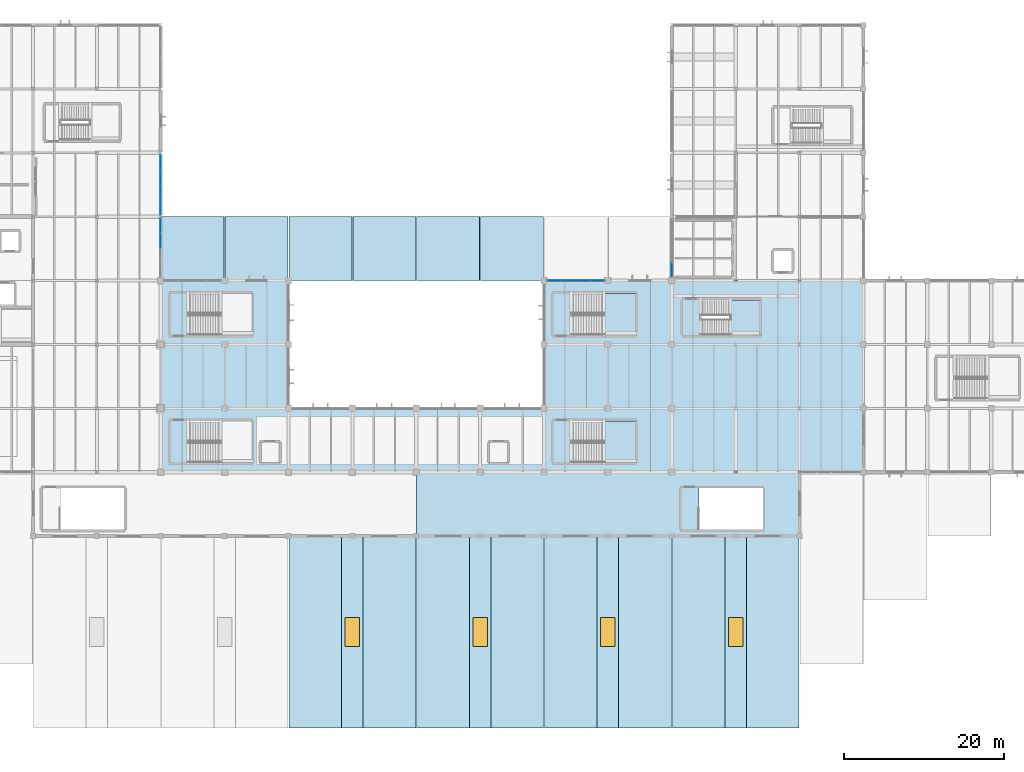
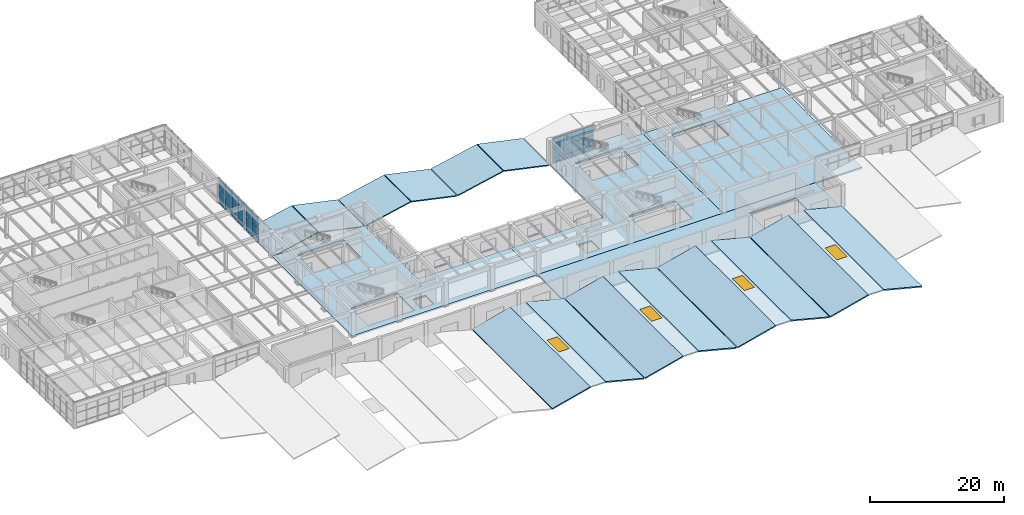
# One storey, part 35 of 60: 31 plates, 25 slabs, 4 windows, 4 openings, 7 elements without a shape of their own.
"""IFC4 building model written with IfcOpenShell, lengths in metres."""

from ifc_helpers import new_model, si_unit, direction, frame, origin, origin_2d, place, context, subcontext, project, spatial, polyline, rectangle, outline, extrude, material, layer, layer_set, type_object, element, fill, aggregate, save


model = new_model("IFC4")

# Units and contexts
model_context = context("Model", 3, precision=1e-05, world=origin(), true_north=direction((0.0, 1.0)))
body_context = subcontext(model_context, "Body", "Model", "MODEL_VIEW")
ifc_project = project(units=[si_unit("LENGTHUNIT", "METRE"), si_unit("AREAUNIT", "SQUARE_METRE"), si_unit("VOLUMEUNIT", "CUBIC_METRE"), si_unit("PLANEANGLEUNIT", "RADIAN"), si_unit("MASSUNIT", "GRAM", prefix="KILO")], contexts=[model_context])

# Site, building, storey
site_placement = place(None, origin())
site = spatial("IfcSite", under=ifc_project, at=site_placement, CompositionType="ELEMENT")
building_placement = place(site_placement, origin())
building = spatial("IfcBuilding", under=site, at=building_placement, Name="Varnela Railside Interchange", CompositionType="ELEMENT")
storey_placement = place(building_placement, frame((0.0, 0.0, 6.300048828125)))
storey = spatial("IfcBuildingStorey", under=building, at=storey_placement, Name="L01", CompositionType="ELEMENT", Elevation=6.300048828125)

# Curtain wall, plates
ifc_material_1 = material(Name="Aluminium 6063-T6", Category="aluminium")
ifc_layer_1 = layer(ifc_material_1, 0.035888671875)
ifc_layer_set_1 = layer_set([ifc_layer_1], Name="Aluminium 6063-T6")
curtain_wall_type_1 = type_object("IfcCurtainWallType", Name="Operations Wing Facade Curtain Wall CW-03", PredefinedType="USERDEFINED", material=ifc_layer_set_1)
curtain_wall_1_placement = place(storey_placement, origin())
curtain_wall_1 = element("IfcCurtainWall", 1, at=curtain_wall_1_placement, inside=storey, type_object=curtain_wall_type_1, Name="Curtain Wall CW-03 (L01) (CW-024)", ObjectType="CURTAIN WALL", PredefinedType="USERDEFINED")
ifc_material_2 = material(Name="Glass laminated double", Category="glass")
ifc_layer_2 = layer(ifc_material_2, 0.0400390625)
ifc_layer_set_2 = layer_set([ifc_layer_2], Name="Glass laminated double")
plate_type_1 = type_object("IfcPlateType", Name="Acoustic Laminated Vision GL-03", PredefinedType="CURTAIN_PANEL", material=ifc_layer_set_2)
plate_1_placement = place(storey_placement, frame((52.0, 76.83984375, 0.059814453125), z_axis=(0.0, 0.0, 1.0), x_axis=(0.0, -1.0, 0.0)))
plate_1 = element("IfcPlate", 2, at=plate_1_placement, type_object=plate_type_1, Name="CW-03 panel 1.1", PredefinedType="CURTAIN_PANEL", context=body_context, shape_type="SweptSolid", body=[
    extrude(rectangle(XDim=1.813232421875, YDim=0.0400390625, at=origin_2d()), origin(), (0.0, 0.0, 1.0), 0.81005859375),
])
plate_2_placement = place(storey_placement, frame((52.0, 76.83984375, 0.929931640625), z_axis=(0.0, 0.0, 1.0), x_axis=(0.0, -1.0, 0.0)))
plate_2 = element("IfcPlate", 3, at=plate_2_placement, type_object=plate_type_1, Name="CW-03 panel 1.2", PredefinedType="CURTAIN_PANEL", context=body_context, shape_type="SweptSolid", body=[
    extrude(rectangle(XDim=1.813232421875, YDim=0.0400390625, at=origin_2d()), origin(), (0.0, 0.0, 1.0), 1.7080078125),
])
plate_3_placement = place(storey_placement, frame((52.0, 76.83984375, 2.69775390625), z_axis=(0.0, 0.0, 1.0), x_axis=(0.0, -1.0, 0.0)))
plate_3 = element("IfcPlate", 4, at=plate_3_placement, type_object=plate_type_1, Name="CW-03 panel 1.3", PredefinedType="CURTAIN_PANEL", context=body_context, shape_type="SweptSolid", body=[
    extrude(rectangle(XDim=1.813232421875, YDim=0.0400390625, at=origin_2d()), origin(), (0.0, 0.0, 1.0), 1.842041015625),
])
plate_4_placement = place(storey_placement, frame((52.0, 74.95166015625, 0.059814453125), z_axis=(0.0, 0.0, 1.0), x_axis=(0.0, -1.0, 0.0)))
plate_4 = element("IfcPlate", 5, at=plate_4_placement, type_object=plate_type_1, Name="CW-03 panel 2.1", PredefinedType="CURTAIN_PANEL", context=body_context, shape_type="SweptSolid", body=[
    extrude(rectangle(XDim=1.84326171875, YDim=0.0400390625, at=origin_2d()), origin(), (0.0, 0.0, 1.0), 0.81005859375),
])
plate_5_placement = place(storey_placement, frame((52.0, 74.95166015625, 0.929931640625), z_axis=(0.0, 0.0, 1.0), x_axis=(0.0, -1.0, 0.0)))
plate_5 = element("IfcPlate", 6, at=plate_5_placement, type_object=plate_type_1, Name="CW-03 panel 2.2", PredefinedType="CURTAIN_PANEL", context=body_context, shape_type="SweptSolid", body=[
    extrude(rectangle(XDim=1.84326171875, YDim=0.0400390625, at=origin_2d()), origin(), (0.0, 0.0, 1.0), 1.7080078125),
])
plate_6_placement = place(storey_placement, frame((52.0, 74.95166015625, 2.69775390625), z_axis=(0.0, 0.0, 1.0), x_axis=(0.0, -1.0, 0.0)))
plate_6 = element("IfcPlate", 7, at=plate_6_placement, type_object=plate_type_1, Name="CW-03 panel 2.3", PredefinedType="CURTAIN_PANEL", context=body_context, shape_type="SweptSolid", body=[
    extrude(rectangle(XDim=1.84326171875, YDim=0.0400390625, at=origin_2d()), origin(), (0.0, 0.0, 1.0), 1.842041015625),
])
plate_7_placement = place(storey_placement, frame((52.0, 73.04833984375, 0.059814453125), z_axis=(0.0, 0.0, 1.0), x_axis=(0.0, -1.0, 0.0)))
plate_7 = element("IfcPlate", 8, at=plate_7_placement, type_object=plate_type_1, Name="CW-03 panel 3.1", PredefinedType="CURTAIN_PANEL", context=body_context, shape_type="SweptSolid", body=[
    extrude(rectangle(XDim=1.84326171875, YDim=0.0400390625, at=origin_2d()), origin(), (0.0, 0.0, 1.0), 0.81005859375),
])
plate_8_placement = place(storey_placement, frame((52.0, 73.04833984375, 0.929931640625), z_axis=(0.0, 0.0, 1.0), x_axis=(0.0, -1.0, 0.0)))
plate_8 = element("IfcPlate", 9, at=plate_8_placement, type_object=plate_type_1, Name="CW-03 panel 3.2", PredefinedType="CURTAIN_PANEL", context=body_context, shape_type="SweptSolid", body=[
    extrude(rectangle(XDim=1.84326171875, YDim=0.0400390625, at=origin_2d()), origin(), (0.0, 0.0, 1.0), 1.7080078125),
])
plate_9_placement = place(storey_placement, frame((52.0, 73.04833984375, 2.69775390625), z_axis=(0.0, 0.0, 1.0), x_axis=(0.0, -1.0, 0.0)))
plate_9 = element("IfcPlate", 10, at=plate_9_placement, type_object=plate_type_1, Name="CW-03 panel 3.3", PredefinedType="CURTAIN_PANEL", context=body_context, shape_type="SweptSolid", body=[
    extrude(rectangle(XDim=1.84326171875, YDim=0.0400390625, at=origin_2d()), origin(), (0.0, 0.0, 1.0), 1.842041015625),
])
plate_10_placement = place(storey_placement, frame((52.0, 71.16015625, 0.059814453125), z_axis=(0.0, 0.0, 1.0), x_axis=(0.0, -1.0, 0.0)))
plate_10 = element("IfcPlate", 11, at=plate_10_placement, type_object=plate_type_1, Name="CW-03 panel 4.1", PredefinedType="CURTAIN_PANEL", context=body_context, shape_type="SweptSolid", body=[
    extrude(rectangle(XDim=1.813232421875, YDim=0.0400390625, at=origin_2d()), origin(), (0.0, 0.0, 1.0), 0.81005859375),
])
plate_11_placement = place(storey_placement, frame((52.0, 71.16015625, 0.929931640625), z_axis=(0.0, 0.0, 1.0), x_axis=(0.0, -1.0, 0.0)))
plate_11 = element("IfcPlate", 12, at=plate_11_placement, type_object=plate_type_1, Name="CW-03 panel 4.2", PredefinedType="CURTAIN_PANEL", context=body_context, shape_type="SweptSolid", body=[
    extrude(rectangle(XDim=1.813232421875, YDim=0.0400390625, at=origin_2d()), origin(), (0.0, 0.0, 1.0), 1.7080078125),
])
plate_12_placement = place(storey_placement, frame((52.0, 71.16015625, 2.69775390625), z_axis=(0.0, 0.0, 1.0), x_axis=(0.0, -1.0, 0.0)))
plate_12 = element("IfcPlate", 13, at=plate_12_placement, type_object=plate_type_1, Name="CW-03 panel 4.3", PredefinedType="CURTAIN_PANEL", context=body_context, shape_type="SweptSolid", body=[
    extrude(rectangle(XDim=1.813232421875, YDim=0.0400390625, at=origin_2d()), origin(), (0.0, 0.0, 1.0), 1.842041015625),
])
aggregate(curtain_wall_1, [plate_1, plate_2, plate_3, plate_4, plate_5, plate_6, plate_7, plate_8, plate_9, plate_10, plate_11, plate_12])

curtain_wall_2_placement = place(storey_placement, origin())
curtain_wall_2 = element("IfcCurtainWall", 14, at=curtain_wall_2_placement, inside=storey, type_object=curtain_wall_type_1, Name="Curtain Wall CW-03 (L01) (CW-025)", ObjectType="CURTAIN WALL", PredefinedType="USERDEFINED")
plate_13_placement = place(storey_placement, frame((52.0, 68.86572265625, 0.059814453125), z_axis=(0.0, 0.0, 1.0), x_axis=(0.0, -1.0, 0.0)))
plate_13 = element("IfcPlate", 15, at=plate_13_placement, type_object=plate_type_1, Name="CW-03 panel 1.1", PredefinedType="CURTAIN_PANEL", context=body_context, shape_type="SweptSolid", body=[
    extrude(rectangle(XDim=1.76171875, YDim=0.0400390625, at=origin_2d()), origin(), (0.0, 0.0, 1.0), 0.81005859375),
])
plate_14_placement = place(storey_placement, frame((52.0, 68.86572265625, 0.929931640625), z_axis=(0.0, 0.0, 1.0), x_axis=(0.0, -1.0, 0.0)))
plate_14 = element("IfcPlate", 16, at=plate_14_placement, type_object=plate_type_1, Name="CW-03 panel 1.2", PredefinedType="CURTAIN_PANEL", context=body_context, shape_type="SweptSolid", body=[
    extrude(rectangle(XDim=1.76171875, YDim=0.0400390625, at=origin_2d()), origin(), (0.0, 0.0, 1.0), 1.7080078125),
])
plate_15_placement = place(storey_placement, frame((52.0, 68.86572265625, 2.69775390625), z_axis=(0.0, 0.0, 1.0), x_axis=(0.0, -1.0, 0.0)))
plate_15 = element("IfcPlate", 17, at=plate_15_placement, type_object=plate_type_1, Name="CW-03 panel 1.3", PredefinedType="CURTAIN_PANEL", context=body_context, shape_type="SweptSolid", body=[
    extrude(rectangle(XDim=1.76171875, YDim=0.0400390625, at=origin_2d()), origin(), (0.0, 0.0, 1.0), 1.842041015625),
])
plate_16_placement = place(storey_placement, frame((52.0, 67.029052734375, 0.059814453125), z_axis=(0.0, 0.0, 1.0), x_axis=(0.0, -1.0, 0.0)))
plate_16 = element("IfcPlate", 18, at=plate_16_placement, type_object=plate_type_1, Name="CW-03 panel 2.1", PredefinedType="CURTAIN_PANEL", context=body_context, shape_type="SweptSolid", body=[
    extrude(rectangle(XDim=1.79150390625, YDim=0.0400390625, at=origin_2d()), origin(), (0.0, 0.0, 1.0), 0.81005859375),
])
plate_17_placement = place(storey_placement, frame((52.0, 67.029052734375, 0.929931640625), z_axis=(0.0, 0.0, 1.0), x_axis=(0.0, -1.0, 0.0)))
plate_17 = element("IfcPlate", 19, at=plate_17_placement, type_object=plate_type_1, Name="CW-03 panel 2.2", PredefinedType="CURTAIN_PANEL", context=body_context, shape_type="SweptSolid", body=[
    extrude(rectangle(XDim=1.79150390625, YDim=0.0400390625, at=origin_2d()), origin(), (0.0, 0.0, 1.0), 1.7080078125),
])
plate_18_placement = place(storey_placement, frame((52.0, 67.029052734375, 2.69775390625), z_axis=(0.0, 0.0, 1.0), x_axis=(0.0, -1.0, 0.0)))
plate_18 = element("IfcPlate", 20, at=plate_18_placement, type_object=plate_type_1, Name="CW-03 panel 2.3", PredefinedType="CURTAIN_PANEL", context=body_context, shape_type="SweptSolid", body=[
    extrude(rectangle(XDim=1.79150390625, YDim=0.0400390625, at=origin_2d()), origin(), (0.0, 0.0, 1.0), 1.842041015625),
])
aggregate(curtain_wall_2, [plate_13, plate_14, plate_15, plate_16, plate_17, plate_18])

# Slabs
ifc_material_3 = material(Name="Concrete C40", Category="concrete")
ifc_layer_3 = layer(ifc_material_3, 0.2099609375)
ifc_layer_set_3 = layer_set([ifc_layer_3], Name="Concrete C40")
slab_type_1 = type_object("IfcSlabType", Name="Folded-Plate Bus Canopy Shell CS-01", PredefinedType="ROOF", material=ifc_layer_set_3)
for number, where, z_axis, x_axis, name in (
    (21, (68.06005859375, 6.0, 0.514892578125), (-0.247381813412, 0.0, 0.968918076203), (0.968918076203, 0.0, 0.247381813412), "Folded-Plate Bus Canopy Shell CS-01 (L01) (SL-0102)"),
    (22, (77.340087890625, 6.0, 2.199951171875), (0.247381813412, 0.0, 0.968918076203), (0.968918076203, 0.0, -0.247381813412), "Folded-Plate Bus Canopy Shell CS-01 (L01) (SL-0103)"),
    (23, (84.06005859375, 6.0, 0.514892578125), (-0.247381813412, 0.0, 0.968918076203), (0.968918076203, 0.0, 0.247381813412), "Folded-Plate Bus Canopy Shell CS-01 (L01) (SL-0104)"),
    (24, (93.340087890625, 6.0, 2.199951171875), (0.247381813412, 0.0, 0.968918076203), (0.968918076203, 0.0, -0.247381813412), "Folded-Plate Bus Canopy Shell CS-01 (L01) (SL-0105)"),
    (25, (100.06005859375, 6.0, 0.514892578125), (-0.247381813412, 0.0, 0.968918076203), (0.968918076203, 0.0, 0.247381813412), "Folded-Plate Bus Canopy Shell CS-01 (L01) (SL-0106)"),
    (26, (109.340087890625, 6.0, 2.199951171875), (0.247381813412, 0.0, 0.968918076203), (0.968918076203, 0.0, -0.247381813412), "Folded-Plate Bus Canopy Shell CS-01 (L01) (SL-0107)"),
    (27, (116.06005859375, 6.0, 0.514892578125), (-0.247381813412, 0.0, 0.968918076203), (0.968918076203, 0.0, 0.247381813412), "Folded-Plate Bus Canopy Shell CS-01 (L01) (SL-0108)"),
    (28, (125.340087890625, 6.0, 2.199951171875), (0.247381813412, 0.0, 0.968918076203), (0.968918076203, 0.0, -0.247381813412), "Folded-Plate Bus Canopy Shell CS-01 (L01) (SL-0109)"),
):
    element("IfcSlab", number, at=place(storey_placement, frame(where, z_axis=z_axis, x_axis=x_axis)), inside=storey, type_object=slab_type_1, Name=name, PredefinedType="ROOF", context=body_context, shape_type="SweptSolid", body=[
        extrude(outline(polyline([(0.0, 0.0), (6.8115702222085615, 0.0), (6.8115702222085615, 24.0), (0.0, 24.0), (0.0, 0.0)])), origin(), (0.0, 0.0, -1.0), 0.2099609375),
    ])
ifc_layer_4 = layer(ifc_material_3, 0.18994140625)
ifc_layer_set_4 = layer_set([ifc_layer_4], Name="Concrete C40")
slab_type_2 = type_object("IfcSlabType", Name="Folded-Plate Bus End Canopy Shell CS-02", PredefinedType="ROOF", material=ifc_layer_set_4)
for number, where, z_axis, x_axis, name in (
    (29, (52.06005859375, 62.0, -0.094970703125), (-0.21027372061, 0.0, 0.977642553503), (0.977642553503, 0.0, 0.21027372061), "Folded-Plate Bus End Canopy Shell CS-02 (L01) (SL-0110)"),
    (30, (60.06005859375, 62.0, 1.599853515625), (0.21027372061, 0.0, 0.977642553503), (0.977642553503, 0.0, -0.21027372061), "Folded-Plate Bus End Canopy Shell CS-02 (L01) (SL-0111)"),
    (31, (68.06005859375, 62.0, -0.094970703125), (-0.21027372061, 0.0, 0.977642553503), (0.977642553503, 0.0, 0.21027372061), "Folded-Plate Bus End Canopy Shell CS-02 (L01) (SL-0112)"),
    (32, (76.06005859375, 62.0, 1.599853515625), (0.21027372061, 0.0, 0.977642553503), (0.977642553503, 0.0, -0.21027372061), "Folded-Plate Bus End Canopy Shell CS-02 (L01) (SL-0113)"),
    (33, (84.06005859375, 62.0, -0.094970703125), (-0.21027372061, 0.0, 0.977642553503), (0.977642553503, 0.0, 0.21027372061), "Folded-Plate Bus End Canopy Shell CS-02 (L01) (SL-0114)"),
    (34, (92.06005859375, 62.0, 1.599853515625), (0.21027372061, 0.0, 0.977642553503), (0.977642553503, 0.0, -0.21027372061), "Folded-Plate Bus End Canopy Shell CS-02 (L01) (SL-0115)"),
):
    element("IfcSlab", number, at=place(storey_placement, frame(where, z_axis=z_axis, x_axis=x_axis)), inside=storey, type_object=slab_type_2, Name=name, PredefinedType="ROOF", context=body_context, shape_type="SweptSolid", body=[
        extrude(outline(polyline([(0.0, 0.0), (8.060085748377276, 0.0), (8.060085748377276, 7.999999999999999), (0.0, 7.999999999999999), (0.0, 0.0)])), origin(), (0.0, 0.0, -1.0), 0.18994140625),
    ])

# Curtain wall, plates
ifc_layer_5 = layer(ifc_material_1, 0.035888671875)
ifc_layer_set_5 = layer_set([ifc_layer_5], Name="Aluminium 6063-T6")
curtain_wall_type_2 = type_object("IfcCurtainWallType", Name="Concourse Triple-Height Curtain Wall CW-01", PredefinedType="USERDEFINED", material=ifc_layer_set_5)
curtain_wall_3_placement = place(storey_placement, origin())
curtain_wall_3 = element("IfcCurtainWall", 35, at=curtain_wall_3_placement, inside=storey, type_object=curtain_wall_type_2, Name="Curtain Wall CW-01 (L01) (CW-028)", ObjectType="CURTAIN WALL", PredefinedType="USERDEFINED")
ifc_layer_6 = layer(ifc_material_2, 0.02001953125)
ifc_layer_set_6 = layer_set([ifc_layer_6], Name="Glass laminated double")
plate_type_2 = type_object("IfcPlateType", Name="Low-E Vision Glazing Panel GL-01", PredefinedType="CURTAIN_PANEL", material=ifc_layer_set_6)
plate_19_placement = place(storey_placement, frame((101.316162109375, 62.0, 0.06494140625), z_axis=(0.0, 0.0, 1.0), x_axis=(1.0, 0.0, 0.0)))
plate_19 = element("IfcPlate", 36, at=plate_19_placement, type_object=plate_type_2, Name="CW-01 panel 1.1", PredefinedType="CURTAIN_PANEL", context=body_context, shape_type="SweptSolid", body=[
    extrude(rectangle(XDim=1.702392578125, YDim=0.02001953125, at=origin_2d()), origin(), (0.0, 0.0, 1.0), 0.802490234375),
])
plate_20_placement = place(storey_placement, frame((101.316162109375, 62.0, 0.9326171875), z_axis=(0.0, 0.0, 1.0), x_axis=(1.0, 0.0, 0.0)))
plate_20 = element("IfcPlate", 37, at=plate_20_placement, type_object=plate_type_2, Name="CW-01 panel 1.2", PredefinedType="CURTAIN_PANEL", context=body_context, shape_type="SweptSolid", body=[
    extrude(rectangle(XDim=1.702392578125, YDim=0.02001953125, at=origin_2d()), origin(), (0.0, 0.0, 1.0), 1.702880859375),
])
plate_21_placement = place(storey_placement, frame((101.316162109375, 62.0, 2.700439453125), z_axis=(0.0, 0.0, 1.0), x_axis=(1.0, 0.0, 0.0)))
plate_21 = element("IfcPlate", 38, at=plate_21_placement, type_object=plate_type_2, Name="CW-01 panel 1.3", PredefinedType="CURTAIN_PANEL", context=body_context, shape_type="SweptSolid", body=[
    extrude(rectangle(XDim=1.702392578125, YDim=0.02001953125, at=origin_2d()), origin(), (0.0, 0.0, 1.0), 1.83447265625),
])
plate_22_placement = place(storey_placement, frame((103.10009765625, 62.0, 0.06494140625), z_axis=(0.0, 0.0, 1.0), x_axis=(1.0, 0.0, 0.0)))
plate_22 = element("IfcPlate", 39, at=plate_22_placement, type_object=plate_type_2, Name="CW-01 panel 2.1", PredefinedType="CURTAIN_PANEL", context=body_context, shape_type="SweptSolid", body=[
    extrude(rectangle(XDim=1.735107421875, YDim=0.02001953125, at=origin_2d()), origin(), (0.0, 0.0, 1.0), 0.802490234375),
])
plate_23_placement = place(storey_placement, frame((103.10009765625, 62.0, 0.9326171875), z_axis=(0.0, 0.0, 1.0), x_axis=(1.0, 0.0, 0.0)))
plate_23 = element("IfcPlate", 40, at=plate_23_placement, type_object=plate_type_2, Name="CW-01 panel 2.2", PredefinedType="CURTAIN_PANEL", context=body_context, shape_type="SweptSolid", body=[
    extrude(rectangle(XDim=1.735107421875, YDim=0.02001953125, at=origin_2d()), origin(), (0.0, 0.0, 1.0), 1.702880859375),
])
plate_24_placement = place(storey_placement, frame((103.10009765625, 62.0, 2.700439453125), z_axis=(0.0, 0.0, 1.0), x_axis=(1.0, 0.0, 0.0)))
plate_24 = element("IfcPlate", 41, at=plate_24_placement, type_object=plate_type_2, Name="CW-01 panel 2.3", PredefinedType="CURTAIN_PANEL", context=body_context, shape_type="SweptSolid", body=[
    extrude(rectangle(XDim=1.735107421875, YDim=0.02001953125, at=origin_2d()), origin(), (0.0, 0.0, 1.0), 1.83447265625),
])
plate_25_placement = place(storey_placement, frame((104.89990234375, 62.0, 0.06494140625), z_axis=(0.0, 0.0, 1.0), x_axis=(1.0, 0.0, 0.0)))
plate_25 = element("IfcPlate", 42, at=plate_25_placement, type_object=plate_type_2, Name="CW-01 panel 3.1", PredefinedType="CURTAIN_PANEL", context=body_context, shape_type="SweptSolid", body=[
    extrude(rectangle(XDim=1.735107421875, YDim=0.02001953125, at=origin_2d()), origin(), (0.0, 0.0, 1.0), 0.802490234375),
])
plate_26_placement = place(storey_placement, frame((104.89990234375, 62.0, 0.9326171875), z_axis=(0.0, 0.0, 1.0), x_axis=(1.0, 0.0, 0.0)))
plate_26 = element("IfcPlate", 43, at=plate_26_placement, type_object=plate_type_2, Name="CW-01 panel 3.2", PredefinedType="CURTAIN_PANEL", context=body_context, shape_type="SweptSolid", body=[
    extrude(rectangle(XDim=1.735107421875, YDim=0.02001953125, at=origin_2d()), origin(), (0.0, 0.0, 1.0), 1.702880859375),
])
plate_27_placement = place(storey_placement, frame((104.89990234375, 62.0, 2.700439453125), z_axis=(0.0, 0.0, 1.0), x_axis=(1.0, 0.0, 0.0)))
plate_27 = element("IfcPlate", 44, at=plate_27_placement, type_object=plate_type_2, Name="CW-01 panel 3.3", PredefinedType="CURTAIN_PANEL", context=body_context, shape_type="SweptSolid", body=[
    extrude(rectangle(XDim=1.735107421875, YDim=0.02001953125, at=origin_2d()), origin(), (0.0, 0.0, 1.0), 1.83447265625),
])
plate_28_placement = place(storey_placement, frame((106.683837890625, 62.0, 0.06494140625), z_axis=(0.0, 0.0, 1.0), x_axis=(1.0, 0.0, 0.0)))
plate_28 = element("IfcPlate", 45, at=plate_28_placement, type_object=plate_type_2, Name="CW-01 panel 4.1", PredefinedType="CURTAIN_PANEL", context=body_context, shape_type="SweptSolid", body=[
    extrude(rectangle(XDim=1.702392578125, YDim=0.02001953125, at=origin_2d()), origin(), (0.0, 0.0, 1.0), 0.802490234375),
])
plate_29_placement = place(storey_placement, frame((106.683837890625, 62.0, 0.9326171875), z_axis=(0.0, 0.0, 1.0), x_axis=(1.0, 0.0, 0.0)))
plate_29 = element("IfcPlate", 46, at=plate_29_placement, type_object=plate_type_2, Name="CW-01 panel 4.2", PredefinedType="CURTAIN_PANEL", context=body_context, shape_type="SweptSolid", body=[
    extrude(rectangle(XDim=1.702392578125, YDim=0.02001953125, at=origin_2d()), origin(), (0.0, 0.0, 1.0), 1.702880859375),
])
plate_30_placement = place(storey_placement, frame((106.683837890625, 62.0, 2.700439453125), z_axis=(0.0, 0.0, 1.0), x_axis=(1.0, 0.0, 0.0)))
plate_30 = element("IfcPlate", 47, at=plate_30_placement, type_object=plate_type_2, Name="CW-01 panel 4.3", PredefinedType="CURTAIN_PANEL", context=body_context, shape_type="SweptSolid", body=[
    extrude(rectangle(XDim=1.702392578125, YDim=0.02001953125, at=origin_2d()), origin(), (0.0, 0.0, 1.0), 1.83447265625),
])
aggregate(curtain_wall_3, [plate_19, plate_20, plate_21, plate_22, plate_23, plate_24, plate_25, plate_26, plate_27, plate_28, plate_29, plate_30])

# Curtain wall, plate
ifc_layer_7 = layer(ifc_material_1, 0.035888671875)
ifc_layer_set_7 = layer_set([ifc_layer_7], Name="Aluminium 6063-T6")
curtain_wall_type_3 = type_object("IfcCurtainWallType", Name="Study Pavilion Gallery Curtain Wall CW-02", PredefinedType="USERDEFINED", material=ifc_layer_set_7)
curtain_wall_4_placement = place(storey_placement, origin())
curtain_wall_4 = element("IfcCurtainWall", 48, at=curtain_wall_4_placement, inside=storey, type_object=curtain_wall_type_3, Name="Curtain Wall CW-02 (L01) (CW-029)", ObjectType="CURTAIN WALL", PredefinedType="USERDEFINED")
plate_31_placement = place(storey_placement, frame((116.0, 63.3408203125, 0.059814453125), z_axis=(0.0, 0.0, 1.0), x_axis=(0.0, 1.0, 0.0)))
plate_31 = element("IfcPlate", 49, at=plate_31_placement, type_object=plate_type_2, Name="CW-02 panel 1.1", PredefinedType="CURTAIN_PANEL", context=body_context, shape_type="SweptSolid", body=[
    extrude(rectangle(XDim=1.76171875, YDim=0.02001953125, at=origin_2d()), origin(), (0.0, 0.0, 1.0), 0.81005859375),
])
aggregate(curtain_wall_4, [plate_31])

# Slab, opening, window
ifc_layer_8 = layer(ifc_material_3, 0.219970703125)
ifc_layer_set_8 = layer_set([ifc_layer_8], Name="Concrete C40")
slab_type_3 = type_object("IfcSlabType", Name="Maintenance Hatch Roof Slab SL-RF", PredefinedType="ROOF", material=ifc_layer_set_8)
slab_1_placement = place(storey_placement, frame((0.0, 0.0, 2.0)))
slab_1 = element("IfcSlab", 50, at=slab_1_placement, inside=storey, type_object=slab_type_3, Name="Maintenance Hatch Roof Slab SL-RF (L01) (SL-0086)", PredefinedType="ROOF", context=body_context, shape_type="SweptSolid", body=[
    extrude(outline(polyline([(74.659912109375, 6.0), (77.340087890625, 6.0), (77.340087890625, 30.0), (74.659912109375, 30.0), (74.659912109375, 6.0)]), holes=[polyline([(75.10009765625, 16.199951171875), (76.89990234375, 16.199951171875), (76.89990234375, 19.800048828125), (75.10009765625, 19.800048828125), (75.10009765625, 16.199951171875)])]), origin(), (0.0, 0.0, 1.0), 0.199951171875),
])
opening_1_placement = place(slab_1_placement, frame((76.0, 18.0, -0.010009765625)))
opening_1 = element("IfcOpeningElement", 51, at=opening_1_placement, cuts=slab_1, Name="Opening SK-B3", PredefinedType="OPENING", context=body_context, shape_type="SweptSolid", body=[
    extrude(rectangle(XDim=1.800048828125, YDim=3.60009765625, at=origin_2d()), origin(), (0.0, 0.0, 1.0), 0.219970703125),
])
window_type = type_object("IfcWindowType", Name="Bus Sawtooth Ridge Skylight SK-01", PartitioningType="SINGLE_PANEL", PredefinedType="SKYLIGHT", material=ifc_material_2)
window_1_placement = place(slab_1_placement, frame((76.0, 18.0, 0.14990234375)))
window_1 = element("IfcWindow", 52, at=window_1_placement, inside=storey, type_object=window_type, Name="Skylight SK-B3", OverallHeight=3.60009765625, OverallWidth=1.800048828125, PartitioningType="SINGLE_PANEL", PredefinedType="SKYLIGHT", context=body_context, shape_type="SweptSolid", body=[
    extrude(rectangle(XDim=1.800048828125, YDim=3.60009765625, at=origin_2d()), origin(), (0.0, 0.0, 1.0), 0.050048828125),
])
fill(opening_1, window_1)

slab_2_placement = place(storey_placement, frame((0.0, 0.0, 2.0)))
slab_2 = element("IfcSlab", 53, at=slab_2_placement, inside=storey, type_object=slab_type_3, Name="Maintenance Hatch Roof Slab SL-RF (L01) (SL-0087)", PredefinedType="ROOF", context=body_context, shape_type="SweptSolid", body=[
    extrude(outline(polyline([(90.659912109375, 6.0), (93.340087890625, 6.0), (93.340087890625, 30.0), (90.659912109375, 30.0), (90.659912109375, 6.0)]), holes=[polyline([(91.10009765625, 16.199951171875), (92.89990234375, 16.199951171875), (92.89990234375, 19.800048828125), (91.10009765625, 19.800048828125), (91.10009765625, 16.199951171875)])]), origin(), (0.0, 0.0, 1.0), 0.199951171875),
])
opening_2_placement = place(slab_2_placement, frame((92.0, 18.0, -0.010009765625)))
opening_2 = element("IfcOpeningElement", 54, at=opening_2_placement, cuts=slab_2, Name="Opening SK-B4", PredefinedType="OPENING", context=body_context, shape_type="SweptSolid", body=[
    extrude(rectangle(XDim=1.800048828125, YDim=3.60009765625, at=origin_2d()), origin(), (0.0, 0.0, 1.0), 0.219970703125),
])
window_2_placement = place(slab_2_placement, frame((92.0, 18.0, 0.14990234375)))
window_2 = element("IfcWindow", 55, at=window_2_placement, inside=storey, type_object=window_type, Name="Skylight SK-B4", OverallHeight=3.60009765625, OverallWidth=1.800048828125, PartitioningType="SINGLE_PANEL", PredefinedType="SKYLIGHT", context=body_context, shape_type="SweptSolid", body=[
    extrude(rectangle(XDim=1.800048828125, YDim=3.60009765625, at=origin_2d()), origin(), (0.0, 0.0, 1.0), 0.050048828125),
])
fill(opening_2, window_2)

slab_3_placement = place(storey_placement, frame((0.0, 0.0, 2.0)))
slab_3 = element("IfcSlab", 56, at=slab_3_placement, inside=storey, type_object=slab_type_3, Name="Maintenance Hatch Roof Slab SL-RF (L01) (SL-0088)", PredefinedType="ROOF", context=body_context, shape_type="SweptSolid", body=[
    extrude(outline(polyline([(106.659912109375, 6.0), (109.340087890625, 6.0), (109.340087890625, 30.0), (106.659912109375, 30.0), (106.659912109375, 6.0)]), holes=[polyline([(107.10009765625, 16.199951171875), (108.89990234375, 16.199951171875), (108.89990234375, 19.800048828125), (107.10009765625, 19.800048828125), (107.10009765625, 16.199951171875)])]), origin(), (0.0, 0.0, 1.0), 0.199951171875),
])
opening_3_placement = place(slab_3_placement, frame((108.0, 18.0, -0.010009765625)))
opening_3 = element("IfcOpeningElement", 57, at=opening_3_placement, cuts=slab_3, Name="Opening SK-B5", PredefinedType="OPENING", context=body_context, shape_type="SweptSolid", body=[
    extrude(rectangle(XDim=1.800048828125, YDim=3.60009765625, at=origin_2d()), origin(), (0.0, 0.0, 1.0), 0.219970703125),
])
window_3_placement = place(slab_3_placement, frame((108.0, 18.0, 0.14990234375)))
window_3 = element("IfcWindow", 58, at=window_3_placement, inside=storey, type_object=window_type, Name="Skylight SK-B5", OverallHeight=3.60009765625, OverallWidth=1.800048828125, PartitioningType="SINGLE_PANEL", PredefinedType="SKYLIGHT", context=body_context, shape_type="SweptSolid", body=[
    extrude(rectangle(XDim=1.800048828125, YDim=3.60009765625, at=origin_2d()), origin(), (0.0, 0.0, 1.0), 0.050048828125),
])
fill(opening_3, window_3)

slab_4_placement = place(storey_placement, frame((0.0, 0.0, 2.0)))
slab_4 = element("IfcSlab", 59, at=slab_4_placement, inside=storey, type_object=slab_type_3, Name="Maintenance Hatch Roof Slab SL-RF (L01) (SL-0089)", PredefinedType="ROOF", context=body_context, shape_type="SweptSolid", body=[
    extrude(outline(polyline([(122.659912109375, 6.0), (125.340087890625, 6.0), (125.340087890625, 30.0), (122.659912109375, 30.0), (122.659912109375, 6.0)]), holes=[polyline([(123.10009765625, 16.199951171875), (124.89990234375, 16.199951171875), (124.89990234375, 19.800048828125), (123.10009765625, 19.800048828125), (123.10009765625, 16.199951171875)])]), origin(), (0.0, 0.0, 1.0), 0.199951171875),
])
opening_4_placement = place(slab_4_placement, frame((124.0, 18.0, -0.010009765625)))
opening_4 = element("IfcOpeningElement", 60, at=opening_4_placement, cuts=slab_4, Name="Opening SK-B6", PredefinedType="OPENING", context=body_context, shape_type="SweptSolid", body=[
    extrude(rectangle(XDim=1.800048828125, YDim=3.60009765625, at=origin_2d()), origin(), (0.0, 0.0, 1.0), 0.219970703125),
])
window_4_placement = place(slab_4_placement, frame((124.0, 18.0, 0.14990234375)))
window_4 = element("IfcWindow", 61, at=window_4_placement, inside=storey, type_object=window_type, Name="Skylight SK-B6", OverallHeight=3.60009765625, OverallWidth=1.800048828125, PartitioningType="SINGLE_PANEL", PredefinedType="SKYLIGHT", context=body_context, shape_type="SweptSolid", body=[
    extrude(rectangle(XDim=1.800048828125, YDim=3.60009765625, at=origin_2d()), origin(), (0.0, 0.0, 1.0), 0.050048828125),
])
fill(opening_4, window_4)

# Slabs
ifc_layer_9 = layer(ifc_material_3, 0.280029296875)
ifc_layer_set_9 = layer_set([ifc_layer_9], Name="Concrete C40")
slab_type_4 = type_object("IfcSlabType", Name="Over-Station Gallery Slab SL-L01", PredefinedType="FLOOR", material=ifc_layer_set_9)
slab_5_placement = place(storey_placement, frame((0.0, 0.0, -0.280029296875)))
element("IfcSlab", 62, at=slab_5_placement, inside=storey, type_object=slab_type_4, Name="Over-Station Gallery Slab SL-L01 (L01) (SL-0078)", PredefinedType="FLOOR", context=body_context, shape_type="SweptSolid", body=[
    extrude(outline(polyline([(84.0, 30.0), (132.0, 30.0), (132.0, 38.0), (84.0, 38.0), (84.0, 30.0)]), holes=[polyline([(119.429931640625, 30.800048828125), (127.39990234375, 30.800048828125), (127.39990234375, 36.0), (119.429931640625, 36.0), (119.429931640625, 30.800048828125)])]), origin(), (0.0, 0.0, 1.0), 0.280029296875),
])
slab_6_placement = place(storey_placement, frame((0.0, 0.0, -0.280029296875)))
element("IfcSlab", 63, at=slab_6_placement, inside=storey, type_object=slab_type_4, Name="Over-Station Gallery Slab SL-L01 (L01) (SL-0079)", PredefinedType="FLOOR", context=body_context, shape_type="SweptSolid", body=[
    extrude(outline(polyline([(52.0, 38.0), (84.0, 38.0), (84.0, 46.0), (68.0, 46.0), (68.0, 62.0), (52.0, 62.0), (52.0, 38.0)]), holes=[polyline([(55.429931640625, 39.199951171875), (63.39990234375, 39.199951171875), (63.39990234375, 44.39990234375), (55.429931640625, 44.39990234375), (55.429931640625, 39.199951171875)]), polyline([(55.429931640625, 55.199951171875), (63.39990234375, 55.199951171875), (63.39990234375, 60.39990234375), (55.429931640625, 60.39990234375), (55.429931640625, 55.199951171875)]), polyline([(64.60009765625, 39.199951171875), (66.800048828125, 39.199951171875), (66.800048828125, 41.699951171875), (64.60009765625, 41.699951171875), (64.60009765625, 39.199951171875)])]), origin(), (0.0, 0.0, 1.0), 0.280029296875),
])
slab_7_placement = place(storey_placement, frame((0.0, 0.0, -0.280029296875)))
element("IfcSlab", 64, at=slab_7_placement, inside=storey, type_object=slab_type_4, Name="Over-Station Gallery Slab SL-L01 (L01) (SL-0080)", PredefinedType="FLOOR", context=body_context, shape_type="SweptSolid", body=[
    extrude(outline(polyline([(84.0, 38.0), (116.0, 38.0), (116.0, 62.0), (100.0, 62.0), (100.0, 46.0), (84.0, 46.0), (84.0, 38.0)]), holes=[polyline([(103.429931640625, 39.199951171875), (111.39990234375, 39.199951171875), (111.39990234375, 44.39990234375), (103.429931640625, 44.39990234375), (103.429931640625, 39.199951171875)]), polyline([(103.429931640625, 55.199951171875), (111.39990234375, 55.199951171875), (111.39990234375, 60.39990234375), (103.429931640625, 60.39990234375), (103.429931640625, 55.199951171875)]), polyline([(93.199951171875, 39.199951171875), (95.39990234375, 39.199951171875), (95.39990234375, 41.699951171875), (93.199951171875, 41.699951171875), (93.199951171875, 39.199951171875)])]), origin(), (0.0, 0.0, 1.0), 0.280029296875),
])
slab_8_placement = place(storey_placement, frame((0.0, 0.0, -0.280029296875)))
element("IfcSlab", 65, at=slab_8_placement, inside=storey, type_object=slab_type_4, Name="Over-Station Gallery Slab SL-L01 (L01) (SL-0082)", PredefinedType="FLOOR", context=body_context, shape_type="SweptSolid", body=[
    extrude(outline(polyline([(116.0, 38.0), (140.0, 38.0), (140.0, 62.0), (116.0, 62.0), (116.0, 38.0)]), holes=[polyline([(119.6298828125, 55.199951171875), (127.0, 55.199951171875), (127.0, 59.60009765625), (119.6298828125, 59.60009765625), (119.6298828125, 55.199951171875)])]), origin(), (0.0, 0.0, 1.0), 0.280029296875),
])

# Stair, slab
stair_type_1 = type_object("IfcStairType", Name="Study Pavilion Stair ST-180", PredefinedType="TWO_STRAIGHT_RUN_STAIR", material=ifc_material_3)
stair_1_placement = place(storey_placement, origin())
stair_1 = element("IfcStair", 66, at=stair_1_placement, inside=storey, type_object=stair_type_1, Name="Stair ST-E1 (L01) (SF-136)", PredefinedType="TWO_STRAIGHT_RUN_STAIR")
ifc_layer_10 = layer(ifc_material_3, 0.159912109375)
ifc_layer_set_10 = layer_set([ifc_layer_10], Name="Concrete C40")
slab_type_5 = type_object("IfcSlabType", Name="Stair Half-Landing Slab SL-LD", PredefinedType="LANDING", material=ifc_layer_set_10)
slab_9_placement = place(storey_placement, frame((0.0, 0.0, 2.2900390625)))
slab_9 = element("IfcSlab", 67, at=slab_9_placement, type_object=slab_type_5, Name="ST-E1 landing 1 (SL-0122)", PredefinedType="LANDING", context=body_context, shape_type="SweptSolid", body=[
    extrude(outline(polyline([(123.340087890625, 55.199951171875), (127.260009765625, 55.199951171875), (127.260009765625, 59.60009765625), (123.340087890625, 59.60009765625), (123.340087890625, 55.199951171875)])), origin(), (0.0, 0.0, 1.0), 0.159912109375),
])
aggregate(stair_1, [slab_9])

stair_type_2 = type_object("IfcStairType", Name="Concourse Public Stair ST-235", PredefinedType="TWO_STRAIGHT_RUN_STAIR", material=ifc_material_3)
stair_2_placement = place(storey_placement, origin())
stair_2 = element("IfcStair", 68, at=stair_2_placement, inside=storey, type_object=stair_type_2, Name="Stair ST-C2 (L01) (SF-127)", PredefinedType="TWO_STRAIGHT_RUN_STAIR")
slab_10_placement = place(storey_placement, frame((0.0, 0.0, 2.2900390625)))
slab_10 = element("IfcSlab", 69, at=slab_10_placement, type_object=slab_type_5, Name="ST-C2 landing 1 (SL-0119)", PredefinedType="LANDING", context=body_context, shape_type="SweptSolid", body=[
    extrude(outline(polyline([(107.465087890625, 39.199951171875), (111.659912109375, 39.199951171875), (111.659912109375, 44.39990234375), (107.465087890625, 44.39990234375), (107.465087890625, 39.199951171875)])), origin(), (0.0, 0.0, 1.0), 0.159912109375),
])
aggregate(stair_2, [slab_10])

stair_3_placement = place(storey_placement, origin())
stair_3 = element("IfcStair", 70, at=stair_3_placement, inside=storey, type_object=stair_type_2, Name="Stair ST-C4 (L01) (SF-133)", PredefinedType="TWO_STRAIGHT_RUN_STAIR")
slab_11_placement = place(storey_placement, frame((0.0, 0.0, 2.2900390625)))
slab_11 = element("IfcSlab", 71, at=slab_11_placement, type_object=slab_type_5, Name="ST-C4 landing 1 (SL-0121)", PredefinedType="LANDING", context=body_context, shape_type="SweptSolid", body=[
    extrude(outline(polyline([(107.465087890625, 55.199951171875), (111.659912109375, 55.199951171875), (111.659912109375, 60.39990234375), (107.465087890625, 60.39990234375), (107.465087890625, 55.199951171875)])), origin(), (0.0, 0.0, 1.0), 0.159912109375),
])
aggregate(stair_3, [slab_11])

save(model, "model.ifc")
